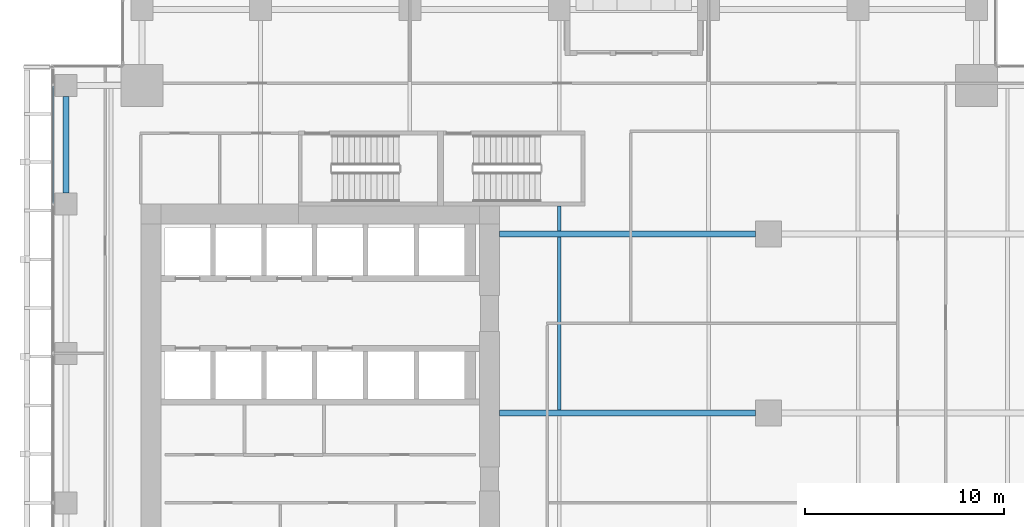
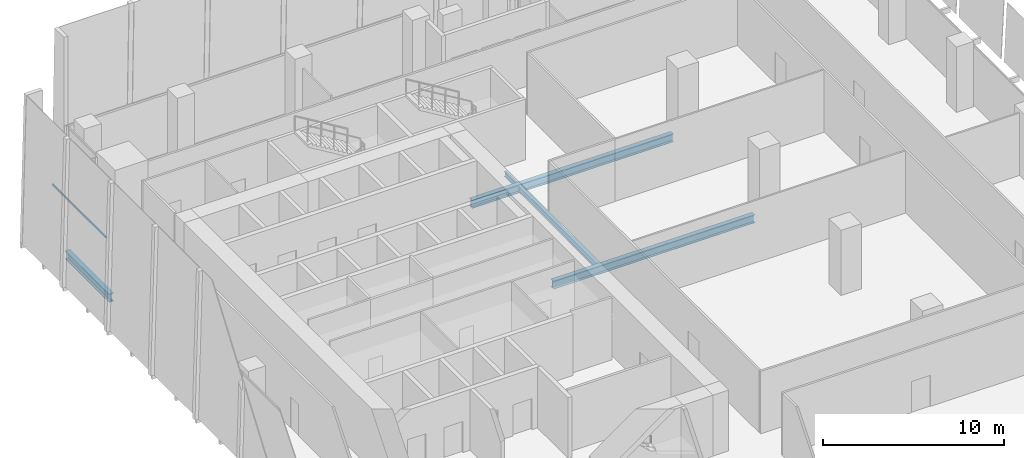
# One storey, part 15 of 34: 5 beams, 1 member, 1 element without a shape of its own.
"""IFC4 building model written with IfcOpenShell, lengths in metres."""

from ifc_helpers import new_model, si_unit, direction, frame, origin, origin_2d, place, context, subcontext, project, spatial, hollow_rectangle, i_section, extrude, source, transform, mapped, material, material_profile, profile_set, type_object, element, aggregate, save


model = new_model("IFC4")

# Units and contexts
model_context = context("Model", 3, precision=1e-05, world=origin(), true_north=direction((0.0, 1.0)))
body_context = subcontext(model_context, "Body", "Model", "MODEL_VIEW")
ifc_project = project(units=[si_unit("LENGTHUNIT", "METRE"), si_unit("AREAUNIT", "SQUARE_METRE"), si_unit("VOLUMEUNIT", "CUBIC_METRE"), si_unit("PLANEANGLEUNIT", "RADIAN"), si_unit("MASSUNIT", "GRAM", prefix="KILO")], contexts=[model_context])

# Site, building, storey
site_placement = place(None, origin())
site = spatial("IfcSite", under=ifc_project, at=site_placement, CompositionType="ELEMENT")
building_placement = place(site_placement, origin())
building = spatial("IfcBuilding", under=site, at=building_placement, Name="Khomas Fold Tower", CompositionType="ELEMENT")
storey_placement = place(building_placement, frame((0.0, 0.0, 154.300048828125)))
storey = spatial("IfcBuildingStorey", under=building, at=storey_placement, Name="L33", CompositionType="ELEMENT", Elevation=154.300048828125)

# Beams
ifc_material_1 = material(Name="Steel S355", Category="steel")
ifc_material_profile_1 = material_profile(ifc_material_1, i_section(OverallWidth=0.179931640625, OverallDepth=0.39990234375, WebThickness=0.008544921875, FlangeThickness=0.013427734375, at=origin_2d()), Name="IPE 400")
ifc_profile_set_1 = profile_set([ifc_material_profile_1], Name="Steel S355")
beam_type_1 = type_object("IfcBeamType", Name="IPE 400 beam JB3", PredefinedType="BEAM", material=ifc_profile_set_1)
shared_shape_1 = source(origin(), body_context, "Body", "SweptSolid", [
    extrude(i_section(OverallWidth=0.179931640625, OverallDepth=0.39990234375, WebThickness=0.008544921875, FlangeThickness=0.013427734375, at=origin_2d()), origin(), (0.0, 0.0, 1.0), 8.7001953125),
])
beam_1_placement = place(storey_placement, frame((27.0, 31.64990234375, -0.5), z_axis=(0.0, 1.0, 0.0), x_axis=(-1.0, 0.0, 0.0)))
element("IfcBeam", 1, at=beam_1_placement, inside=storey, type_object=beam_type_1, Name="JB3", PredefinedType="BEAM", context=body_context, shape_type="MappedRepresentation", body=[
    mapped(shared_shape_1, transform((0.0, 0.0, 0.0))),
])
ifc_material_2 = material(Name="Steel S355", Category="steel")
ifc_material_profile_2 = material_profile(ifc_material_2, i_section(OverallWidth=0.159912109375, OverallDepth=0.330078125, WebThickness=0.007568359375, FlangeThickness=0.011474609375, at=origin_2d()), Name="IPE 330")
ifc_profile_set_2 = profile_set([ifc_material_profile_2], Name="Steel S355")
beam_type_2 = type_object("IfcBeamType", Name="IPE 330 beam JB1", PredefinedType="BEAM", material=ifc_profile_set_2)
shared_shape_2 = source(origin(), body_context, "Body", "SweptSolid", [
    extrude(i_section(OverallWidth=0.159912109375, OverallDepth=0.330078125, WebThickness=0.007568359375, FlangeThickness=0.011474609375, at=origin_2d()), origin(), (0.0, 0.0, 1.0), 1.25),
])
beam_2_placement = place(storey_placement, frame((27.0, 40.64990234375, -0.465087890625), z_axis=(0.0, 1.0, 0.0), x_axis=(-1.0, 0.0, 0.0)))
element("IfcBeam", 2, at=beam_2_placement, inside=storey, type_object=beam_type_2, Name="JB1", PredefinedType="BEAM", context=body_context, shape_type="MappedRepresentation", body=[
    mapped(shared_shape_2, transform((0.0, 0.0, 0.0))),
])
ifc_material_3 = material(Name="Steel S355", Category="steel")
ifc_material_profile_3 = material_profile(ifc_material_3, i_section(OverallWidth=0.300048828125, OverallDepth=0.550048828125, WebThickness=0.014892578125, FlangeThickness=0.029052734375, at=origin_2d()), Name="HE 550 B")
ifc_profile_set_3 = profile_set([ifc_material_profile_3], Name="Steel S355")
beam_type_3 = type_object("IfcBeamType", Name="HE 550 B spandrel SB2", PredefinedType="SPANDREL", material=ifc_profile_set_3)
shared_shape_3 = source(origin(), body_context, "Body", "SweptSolid", [
    extrude(i_section(OverallWidth=0.300048828125, OverallDepth=0.550048828125, WebThickness=0.014892578125, FlangeThickness=0.029052734375, at=origin_2d()), origin(), (0.0, 0.0, 1.0), 4.849853515625),
])
beam_3_placement = place(storey_placement, frame((2.25, 42.550048828125, -0.574951171875), z_axis=(0.0, 1.0, 0.0), x_axis=(-1.0, 0.0, 0.0)))
element("IfcBeam", 3, at=beam_3_placement, inside=storey, type_object=beam_type_3, Name="SB2", PredefinedType="SPANDREL", context=body_context, shape_type="MappedRepresentation", body=[
    mapped(shared_shape_3, transform((0.0, 0.0, 0.0))),
])
ifc_material_4 = material(Name="Steel S355", Category="steel")
ifc_material_profile_4 = material_profile(ifc_material_4, i_section(OverallWidth=0.300048828125, OverallDepth=0.550048828125, WebThickness=0.014892578125, FlangeThickness=0.029052734375, at=origin_2d()), Name="HE 550 B")
ifc_profile_set_4 = profile_set([ifc_material_profile_4], Name="Steel S355")
beam_type_4 = type_object("IfcBeamType", Name="HE 550 B beam GB4", PredefinedType="BEAM", material=ifc_profile_set_4)
shared_shape_4 = source(origin(), body_context, "Body", "SweptSolid", [
    extrude(i_section(OverallWidth=0.300048828125, OverallDepth=0.550048828125, WebThickness=0.014892578125, FlangeThickness=0.029052734375, at=origin_2d()), origin(), (0.0, 0.0, 1.0), 12.85009765625),
])
for number, where, z_axis, x_axis, name in (
    (4, (24.0, 31.5, -0.574951171875), (1.0, 0.0, 0.0), (0.0, 1.0, 0.0), "GB4"),
    (5, (24.0, 40.5, -0.574951171875), (1.0, 0.0, 0.0), (0.0, 1.0, 0.0), "GB4"),
):
    element("IfcBeam", number, at=place(storey_placement, frame(where, z_axis=z_axis, x_axis=x_axis)), inside=storey, type_object=beam_type_4, Name=name, PredefinedType="BEAM", context=body_context, shape_type="MappedRepresentation", body=[
        mapped(shared_shape_4, transform((0.0, 0.0, 0.0))),
    ])

# Curtain wall, member
ifc_material_5 = material(Name="Aluminium framed double glazing", Category="aluminium")
curtain_wall_type = type_object("IfcCurtainWallType", Name="SK-Unitised clear-glass wall, growing floors CW1", PredefinedType="NOTDEFINED", material=ifc_material_5)
curtain_wall_placement = place(storey_placement, origin())
curtain_wall = element("IfcCurtainWall", 6, at=curtain_wall_placement, inside=storey, type_object=curtain_wall_type, Name="CW1 run L33 09-0", PredefinedType="NOTDEFINED")
ifc_material_6 = material(Name="Aluminium", Category="aluminium")
ifc_material_profile_5 = material_profile(ifc_material_6, hollow_rectangle(XDim=0.06005859375, YDim=0.1201171875, WallThickness=0.00390625, at=origin_2d()), Name="SK-Unitised clear-glass wall, growing floors transom CW1-T")
ifc_profile_set_5 = profile_set([ifc_material_profile_5], Name="Aluminium")
member_type = type_object("IfcMemberType", Name="SK-Unitised clear-glass wall, growing floors transom CW1-T", PredefinedType="USERDEFINED", material=ifc_profile_set_5)
shared_shape_5 = source(origin(), body_context, "Body", "SweptSolid", [
    extrude(hollow_rectangle(XDim=0.06005859375, YDim=0.1201171875, WallThickness=0.00390625, at=origin_2d()), origin(), (0.0, 0.0, 1.0), 5.889892578125),
])
member_placement = place(storey_placement, frame((1.60009765625, 47.919921875, 4.0400390625), z_axis=(0.0, -1.0, 0.0), x_axis=(1.0, 0.0, 0.0)))
member = element("IfcMember", 7, at=member_placement, type_object=member_type, Name="CW1 transom 2", ObjectType="TRANSOM", PredefinedType="USERDEFINED", context=body_context, shape_type="MappedRepresentation", body=[
    mapped(shared_shape_5, transform((0.0, 0.0, 0.0))),
])
aggregate(curtain_wall, [member])

save(model, "model.ifc")
